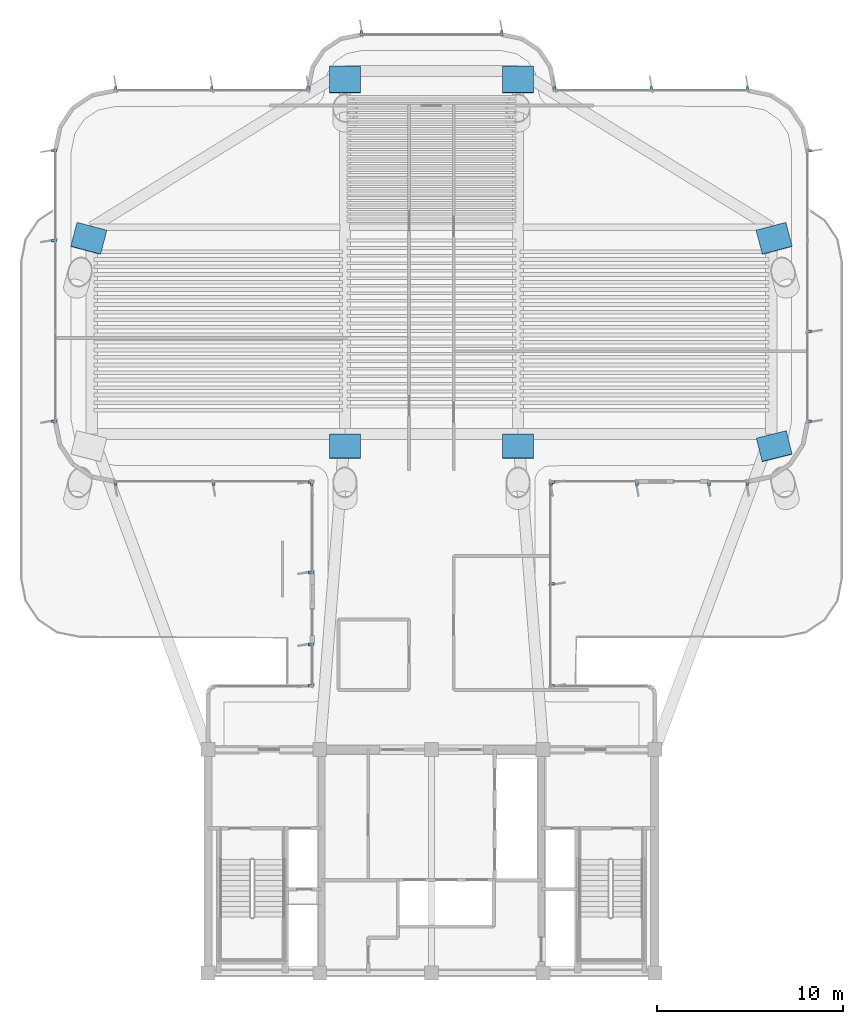
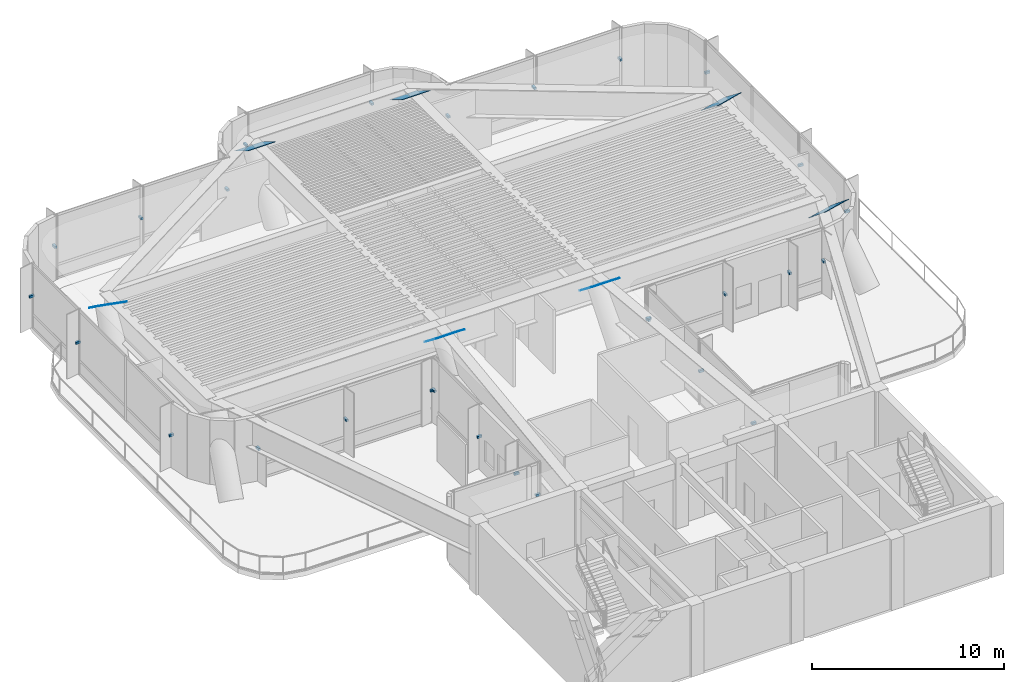
# One storey, part 11 of 13: 35 discrete accessories.
"""IFC4 building model written with IfcOpenShell, lengths in metres."""

from ifc_helpers import new_model, si_unit, direction, frame, origin, origin_2d, place, context, subcontext, project, spatial, rectangle, extrude, source, transform, mapped, material, material_profile, profile_set, type_object, element, save


model = new_model("IFC4")

# Units and contexts
model_context = context("Model", 3, precision=1e-05, world=origin(), true_north=direction((0.0, 1.0)))
body_context = subcontext(model_context, "Body", "Model", "MODEL_VIEW")
ifc_project = project(units=[si_unit("LENGTHUNIT", "METRE"), si_unit("AREAUNIT", "SQUARE_METRE"), si_unit("VOLUMEUNIT", "CUBIC_METRE"), si_unit("PLANEANGLEUNIT", "RADIAN"), si_unit("MASSUNIT", "GRAM", prefix="KILO")], contexts=[model_context])

# Site, building, storey
site_placement = place(None, origin())
site = spatial("IfcSite", under=ifc_project, at=site_placement, CompositionType="ELEMENT")
building_placement = place(site_placement, origin())
building = spatial("IfcBuilding", under=site, at=building_placement, Name="Brelvock Crest Care Tower", CompositionType="ELEMENT")
storey_placement = place(building_placement, frame((0.0, 0.0, 151.919921875)))
storey = spatial("IfcBuildingStorey", under=building, at=storey_placement, Name="L38", CompositionType="ELEMENT", Elevation=151.919921875)

# Discrete accessories
ifc_material = material(Name="Steel Grade 350", Category="steel")
ifc_material_profile = material_profile(ifc_material, rectangle(XDim=1.659912109375, YDim=1.659912109375, at=origin_2d()), Name="ACC-CAP1")
ifc_profile_set = profile_set([ifc_material_profile], Name="Steel Grade 350")
discrete_accessory_type_1 = type_object("IfcDiscreteAccessoryType", Name="ACC-CAP1", PredefinedType="BRACKET", material=ifc_profile_set)
shared_shape_1 = source(origin(), body_context, "Body", "SweptSolid", [
    extrude(rectangle(XDim=1.659912109375, YDim=1.659912109375, at=origin_2d()), origin(), (0.0, 0.0, 1.0), 0.02392578125),
])
for number, where, z_axis, x_axis, name in (
    (1, (31.35009765625, 34.29296875, 3.666015625), (0.0, 0.614649576762, 0.788800290179), (-1.0, 0.0, 0.0), "L38 Mega-Column Top End Cap Shoe M5"),
    (2, (40.64990234375, 34.29296875, 3.666015625), (0.0, 0.614649576762, 0.788800290179), (-1.0, 0.0, 0.0), "L38 Mega-Column Top End Cap Shoe M6"),
    (3, (31.35009765625, 53.98388671875, 3.73095703125), (0.0, 0.518978134242, 0.854787515222), (-1.0, 0.0, 0.0), "L38 Mega-Column Top End Cap Shoe M7"),
    (4, (40.64990234375, 53.98388671875, 3.73095703125), (0.0, 0.518978134242, 0.854787515222), (-1.0, 0.0, 0.0), "L38 Mega-Column Top End Cap Shoe M8"),
):
    element("IfcDiscreteAccessory", number, at=place(storey_placement, frame(where, z_axis=z_axis, x_axis=x_axis)), inside=storey, type_object=discrete_accessory_type_1, Name=name, PredefinedType="BRACKET", context=body_context, shape_type="MappedRepresentation", body=[
        mapped(shared_shape_1, transform((0.0, 0.0, 0.0), x_axis=(1.0, 0.0, 0.0), y_axis=(0.0, 1.0, 0.0), z_axis=(0.0, 0.0, 1.0), scale=1.0)),
    ])
shared_shape_2 = source(origin(), body_context, "Body", "SweptSolid", [
    extrude(rectangle(XDim=1.659912109375, YDim=1.659912109375, at=origin_2d()), origin(), (0.0, 0.0, 1.0), 0.024169921875),
])
for number, where, z_axis, x_axis, name in (
    (5, (17.59228515625, 45.451904296875, 3.677490234375), (0.152184301951, 0.578300347412, 0.801503990273), (-0.967074537263, 0.25449329928, 0.0), "L38 Mega-Column Top End Cap Shoe M2"),
    (6, (54.411376953125, 34.287353515625, 3.658935546875), (-0.151879753436, 0.607519013744, 0.779649400972), (-0.970142500145, -0.242535625036, 0.0), "L38 Mega-Column Top End Cap Shoe M3"),
    (7, (54.40771484375, 45.451904296875, 3.677490234375), (-0.152184301951, 0.578300347412, 0.801503990273), (-0.967074537263, -0.25449329928, 0.0), "L38 Mega-Column Top End Cap Shoe M4"),
):
    element("IfcDiscreteAccessory", number, at=place(storey_placement, frame(where, z_axis=z_axis, x_axis=x_axis)), inside=storey, type_object=discrete_accessory_type_1, Name=name, PredefinedType="BRACKET", context=body_context, shape_type="MappedRepresentation", body=[
        mapped(shared_shape_2, transform((0.0, 0.0, 0.0), x_axis=(1.0, 0.0, 0.0), y_axis=(0.0, 1.0, 0.0), z_axis=(0.0, 0.0, 1.0), scale=1.0)),
    ])
discrete_accessory_type_2 = type_object("IfcDiscreteAccessoryType", Name="ACC-BRK1", PredefinedType="BRACKET", material=ifc_material)
shared_shape_3 = source(origin(), body_context, "Body", "SweptSolid", [
    extrude(rectangle(XDim=0.280029296875, YDim=0.139892578125, at=origin_2d()), origin(), (0.0, 0.0, 1.0), 0.139892578125),
])
for number, where, z_axis, x_axis, name in (
    (8, (29.52001953125, 21.4326171875, 1.97607421875), (0.0, 0.0, 1.0), (-1.0, 0.0, 0.0), "L38 Facade Fin Bracket E11A-01"),
    (9, (29.52001953125, 23.6474609375, 1.97607421875), (0.0, 0.0, 1.0), (-1.0, 0.0, 0.0), "L38 Facade Fin Bracket E11A-02"),
    (10, (29.52001953125, 27.512451171875, 1.97607421875), (0.0, 0.0, 1.0), (-1.0, 0.0, 0.0), "L38 Facade Fin Bracket E11B-01"),
    (11, (29.52001953125, 32.367431640625, 1.97607421875), (0.0, 0.0, 1.0), (-1.0, 0.0, 0.0), "L38 Facade Fin Bracket E11B-02"),
    (12, (29.5673828125, 32.320068359375, 1.97607421875), (0.0, 0.0, 1.0), (0.0, -1.0, 0.0), "L38 Facade Fin Bracket E12-01"),
    (13, (24.300048828125, 32.320068359375, 1.97607421875), (0.0, 0.0, 1.0), (0.0, -1.0, 0.0), "L38 Facade Fin Bracket E12-02"),
    (14, (19.032470703125, 32.320068359375, 1.97607421875), (0.0, 0.0, 1.0), (0.0, -1.0, 0.0), "L38 Facade Fin Bracket E12-03"),
    (15, (15.719970703125, 35.632568359375, 1.97607421875), (0.0, 0.0, 1.0), (-1.0, 0.0, 0.0), "L38 Facade Fin Bracket E17-01"),
    (16, (15.719970703125, 45.333251953125, 1.97607421875), (0.0, 0.0, 1.0), (-1.0, 0.0, 0.0), "L38 Facade Fin Bracket E17-03"),
    (17, (15.719970703125, 50.16748046875, 1.97607421875), (0.0, 0.0, 1.0), (-1.0, 0.0, 0.0), "L38 Facade Fin Bracket E17-04"),
    (18, (19.032470703125, 53.47998046875, 1.97607421875), (0.0, 0.0, 1.0), (0.0, 1.0, 0.0), "L38 Facade Fin Bracket E22-01"),
    (19, (24.199951171875, 53.47998046875, 1.97607421875), (0.0, 0.0, 1.0), (0.0, 1.0, 0.0), "L38 Facade Fin Bracket E22-02"),
    (20, (29.367431640625, 53.47998046875, 1.97607421875), (0.0, 0.0, 1.0), (0.0, 1.0, 0.0), "L38 Facade Fin Bracket E22-03"),
    (21, (32.232421875, 56.47998046875, 1.97607421875), (0.0, 0.0, 1.0), (0.0, 1.0, 0.0), "L38 Facade Fin Bracket E28-01"),
    (22, (39.767578125, 56.47998046875, 1.97607421875), (0.0, 0.0, 1.0), (0.0, 1.0, 0.0), "L38 Facade Fin Bracket E28-02"),
    (23, (42.632568359375, 53.47998046875, 1.97607421875), (0.0, 0.0, 1.0), (0.0, 1.0, 0.0), "L38 Facade Fin Bracket E34-01"),
    (24, (47.800048828125, 53.47998046875, 1.97607421875), (0.0, 0.0, 1.0), (0.0, 1.0, 0.0), "L38 Facade Fin Bracket E34-02"),
    (25, (52.967529296875, 53.47998046875, 1.97607421875), (0.0, 0.0, 1.0), (0.0, 1.0, 0.0), "L38 Facade Fin Bracket E34-03"),
    (26, (56.280029296875, 50.16748046875, 1.97607421875), (0.0, 0.0, 1.0), (1.0, 0.0, 0.0), "L38 Facade Fin Bracket E39-01"),
    (27, (56.280029296875, 40.466796875, 1.97607421875), (0.0, 0.0, 1.0), (1.0, 0.0, 0.0), "L38 Facade Fin Bracket E39-03"),
    (28, (56.280029296875, 35.632568359375, 1.97607421875), (0.0, 0.0, 1.0), (1.0, 0.0, 0.0), "L38 Facade Fin Bracket E39-04"),
    (29, (52.967529296875, 32.320068359375, 1.97607421875), (0.0, 0.0, 1.0), (0.0, -1.0, 0.0), "L38 Facade Fin Bracket E44A-01"),
    (30, (50.904541015625, 32.320068359375, 1.97607421875), (0.0, 0.0, 1.0), (0.0, -1.0, 0.0), "L38 Facade Fin Bracket E44A-02"),
    (31, (47.03955078125, 32.320068359375, 1.97607421875), (0.0, 0.0, 1.0), (0.0, -1.0, 0.0), "L38 Facade Fin Bracket E44B-01"),
    (32, (42.4326171875, 32.320068359375, 1.97607421875), (0.0, 0.0, 1.0), (0.0, -1.0, 0.0), "L38 Facade Fin Bracket E44B-02"),
    (33, (42.47998046875, 32.367431640625, 1.97607421875), (0.0, 0.0, 1.0), (1.0, 0.0, 0.0), "L38 Facade Fin Bracket E45-01"),
    (34, (42.47998046875, 26.89990234375, 1.97607421875), (0.0, 0.0, 1.0), (1.0, 0.0, 0.0), "L38 Facade Fin Bracket E45-02"),
    (35, (42.47998046875, 21.4326171875, 1.97607421875), (0.0, 0.0, 1.0), (1.0, 0.0, 0.0), "L38 Facade Fin Bracket E45-03"),
):
    element("IfcDiscreteAccessory", number, at=place(storey_placement, frame(where, z_axis=z_axis, x_axis=x_axis)), inside=storey, type_object=discrete_accessory_type_2, Name=name, PredefinedType="BRACKET", context=body_context, shape_type="MappedRepresentation", body=[
        mapped(shared_shape_3, transform((0.0, 0.0, 0.0), x_axis=(1.0, 0.0, 0.0), y_axis=(0.0, 1.0, 0.0), z_axis=(0.0, 0.0, 1.0), scale=1.0)),
    ])

save(model, "model.ifc")
